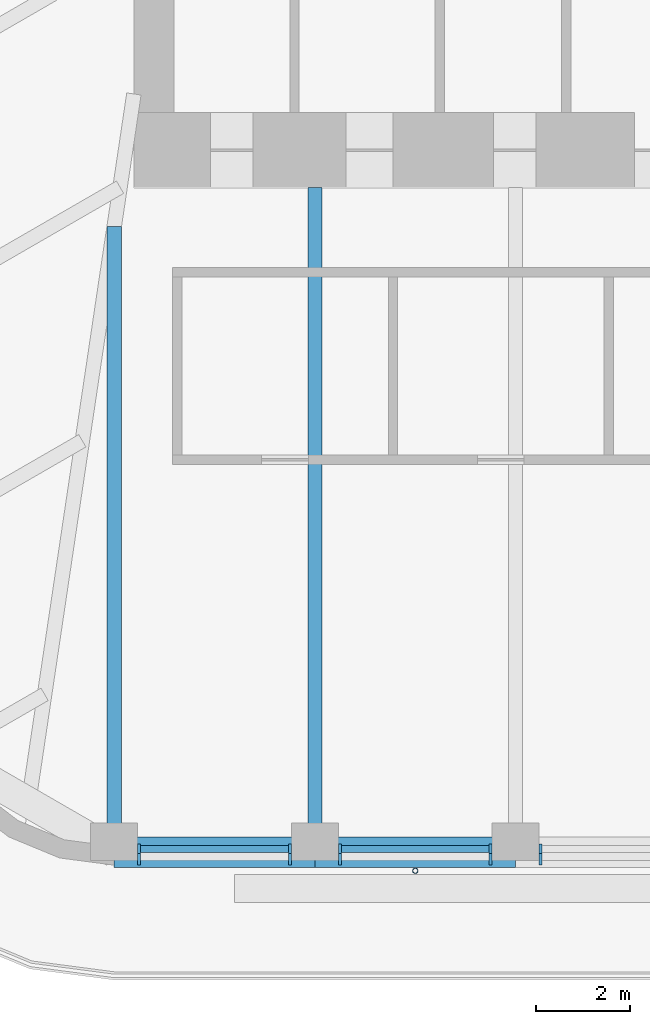
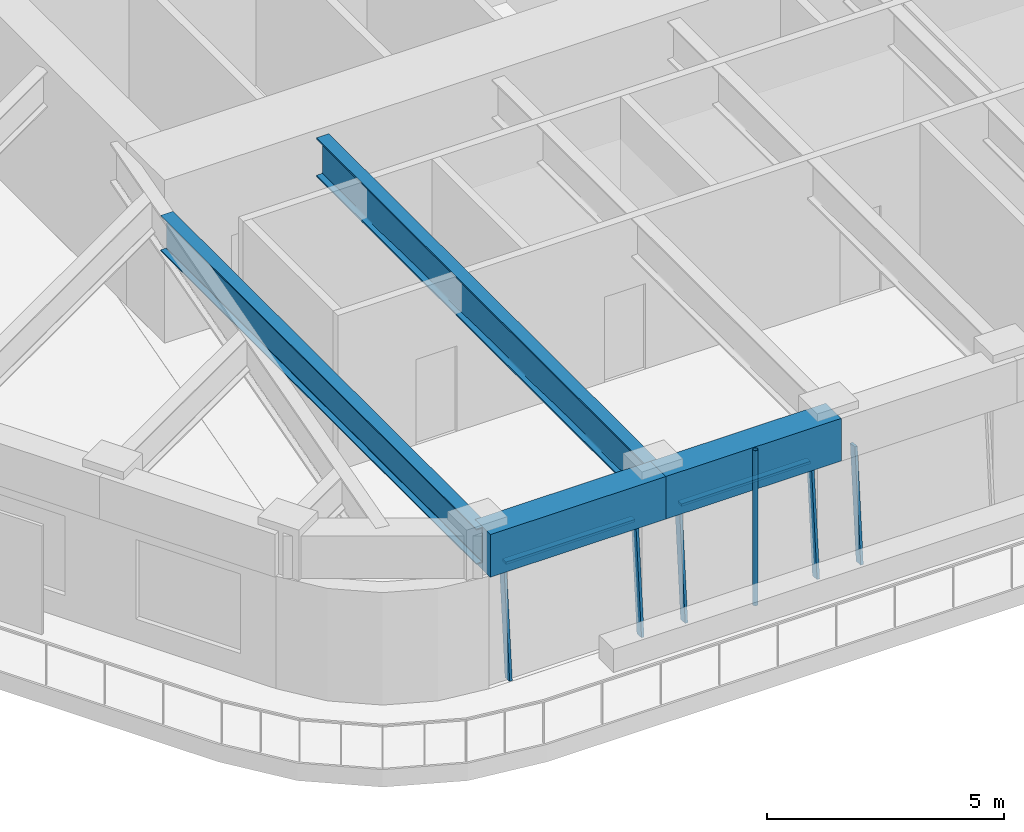
# One storey, part 2 of 19: 8 members, 4 beams, 3 elements without a shape of their own.
"""IFC4 building model written with IfcOpenShell, lengths in metres."""

from ifc_helpers import new_model, si_unit, direction, frame, origin, origin_2d, place, context, subcontext, project, spatial, rectangle, hollow_circle, i_section, extrude, material, material_profile, profile_set, type_object, element, aggregate, save


model = new_model("IFC4")

# Units and contexts
model_context = context("Model", 3, precision=1e-05, world=origin(), true_north=direction((0.0, 1.0)))
body_context = subcontext(model_context, "Body", "Model", "MODEL_VIEW")
ifc_project = project(units=[si_unit("LENGTHUNIT", "METRE"), si_unit("AREAUNIT", "SQUARE_METRE"), si_unit("VOLUMEUNIT", "CUBIC_METRE"), si_unit("PLANEANGLEUNIT", "RADIAN"), si_unit("MASSUNIT", "GRAM", prefix="KILO")], contexts=[model_context])

# Site, building, storey
site_placement = place(None, origin())
site = spatial("IfcSite", under=ifc_project, at=site_placement, CompositionType="ELEMENT")
building_placement = place(site_placement, origin())
building = spatial("IfcBuilding", under=site, at=building_placement, Name="Tarfa Lantern Tower", CompositionType="ELEMENT")
storey_placement = place(building_placement, frame((0.0, 0.0, 332.5)))
storey = spatial("IfcBuildingStorey", under=building, at=storey_placement, Name="L75", CompositionType="ELEMENT", Elevation=332.5)

# Curtain wall, members
ifc_material_1 = material(Name="Aluminium framed curtain wall", Category="aluminium")
curtain_wall_type = type_object("IfcCurtainWallType", Name="CW4 CANTED GLAZING EXECUTIVE ZONE 2900", PredefinedType="USERDEFINED", material=ifc_material_1)
curtain_wall_1_placement = place(storey_placement, origin())
curtain_wall_1 = element("IfcCurtainWall", 1, at=curtain_wall_1_placement, inside=storey, type_object=curtain_wall_type, Name="CW4 S L75", ObjectType="CURTAIN WALL", PredefinedType="USERDEFINED")
ifc_material_2 = material(Name="Aluminium mullion", Category="aluminium")
ifc_material_profile_1 = material_profile(ifc_material_2, rectangle(XDim=0.06494140625, YDim=0.199951171875, at=origin_2d()), Name="AL MULLION 65x200")
ifc_profile_set_1 = profile_set([ifc_material_profile_1], Name="Aluminium mullion")
member_type_1 = type_object("IfcMemberType", Name="CWM1 MULLION 65x200", PredefinedType="MULLION", material=ifc_profile_set_1)
member_1_placement = place(storey_placement, frame((-12.3134765625, -26.64990234375, 0.0), z_axis=(0.0, 0.085891213166, 0.99630452147), x_axis=(-1.0, 0.0, 0.0)))
member_1 = element("IfcMember", 2, at=member_1_placement, type_object=member_type_1, Name="CW4 mullion 1", PredefinedType="MULLION", context=body_context, shape_type="SweptSolid", body=[
    extrude(rectangle(XDim=0.06494140625, YDim=0.199951171875, at=origin_2d()), origin(), (0.0, 0.0, 1.0), 2.91064453125),
])
member_2_placement = place(storey_placement, frame((-9.096435546875, -26.64990234375, 0.0), z_axis=(0.0, 0.085891213166, 0.99630452147), x_axis=(-1.0, 0.0, 0.0)))
member_2 = element("IfcMember", 3, at=member_2_placement, type_object=member_type_1, Name="CW4 mullion 2", PredefinedType="MULLION", context=body_context, shape_type="SweptSolid", body=[
    extrude(rectangle(XDim=0.06494140625, YDim=0.199951171875, at=origin_2d()), origin(), (0.0, 0.0, 1.0), 2.91064453125),
])

curtain_wall_2_placement = place(storey_placement, origin())
curtain_wall_2 = element("IfcCurtainWall", 4, at=curtain_wall_2_placement, inside=storey, type_object=curtain_wall_type, Name="CW4 S L75", ObjectType="CURTAIN WALL", PredefinedType="USERDEFINED")
member_3_placement = place(storey_placement, frame((-8.031494140625, -26.64990234375, 0.0), z_axis=(0.0, 0.085891213166, 0.99630452147), x_axis=(-1.0, 0.0, 0.0)))
member_3 = element("IfcMember", 5, at=member_3_placement, type_object=member_type_1, Name="CW4 mullion 1", PredefinedType="MULLION", context=body_context, shape_type="SweptSolid", body=[
    extrude(rectangle(XDim=0.06494140625, YDim=0.199951171875, at=origin_2d()), origin(), (0.0, 0.0, 1.0), 2.91064453125),
])
member_4_placement = place(storey_placement, frame((-4.814453125, -26.64990234375, 0.0), z_axis=(0.0, 0.085891213166, 0.99630452147), x_axis=(-1.0, 0.0, 0.0)))
member_4 = element("IfcMember", 6, at=member_4_placement, type_object=member_type_1, Name="CW4 mullion 2", PredefinedType="MULLION", context=body_context, shape_type="SweptSolid", body=[
    extrude(rectangle(XDim=0.06494140625, YDim=0.199951171875, at=origin_2d()), origin(), (0.0, 0.0, 1.0), 2.91064453125),
])

# Curtain wall, member
curtain_wall_3_placement = place(storey_placement, origin())
curtain_wall_3 = element("IfcCurtainWall", 7, at=curtain_wall_3_placement, inside=storey, type_object=curtain_wall_type, Name="CW4 S L75", ObjectType="CURTAIN WALL", PredefinedType="USERDEFINED")
member_5_placement = place(storey_placement, frame((-3.74951171875, -26.64990234375, 0.0), z_axis=(0.0, 0.085891213166, 0.99630452147), x_axis=(-1.0, 0.0, 0.0)))
member_5 = element("IfcMember", 8, at=member_5_placement, type_object=member_type_1, Name="CW4 mullion 1", PredefinedType="MULLION", context=body_context, shape_type="SweptSolid", body=[
    extrude(rectangle(XDim=0.06494140625, YDim=0.199951171875, at=origin_2d()), origin(), (0.0, 0.0, 1.0), 2.91064453125),
])
aggregate(curtain_wall_3, [member_5])

# Member
ifc_material_3 = material(Name="Aluminium transom", Category="aluminium")
ifc_material_profile_2 = material_profile(ifc_material_3, rectangle(XDim=0.14990234375, YDim=0.06494140625, at=origin_2d()), Name="AL TRANSOM 150x65")
ifc_profile_set_2 = profile_set([ifc_material_profile_2], Name="Aluminium transom")
member_type_2 = type_object("IfcMemberType", Name="CWT1 TRANSOM 150x65", PredefinedType="USERDEFINED", material=ifc_profile_set_2)
member_6_placement = place(storey_placement, frame((-12.281005859375, -26.40283203125, 2.867431640625), z_axis=(1.0, 0.0, 0.0), x_axis=(0.0, 1.0, 0.0)))
member_6 = element("IfcMember", 9, at=member_6_placement, type_object=member_type_2, Name="CW4 transom 1.2", ObjectType="TRANSOM", PredefinedType="USERDEFINED", context=body_context, shape_type="SweptSolid", body=[
    extrude(rectangle(XDim=0.14990234375, YDim=0.06494140625, at=origin_2d()), origin(), (0.0, 0.0, 1.0), 3.15185546875),
])

aggregate(curtain_wall_1, [member_1, member_2, member_6])

member_7_placement = place(storey_placement, frame((-7.9990234375, -26.40283203125, 2.867431640625), z_axis=(1.0, 0.0, 0.0), x_axis=(0.0, 1.0, 0.0)))
member_7 = element("IfcMember", 10, at=member_7_placement, type_object=member_type_2, Name="CW4 transom 1.2", ObjectType="TRANSOM", PredefinedType="USERDEFINED", context=body_context, shape_type="SweptSolid", body=[
    extrude(rectangle(XDim=0.14990234375, YDim=0.06494140625, at=origin_2d()), origin(), (0.0, 0.0, 1.0), 3.152099609375),
])

aggregate(curtain_wall_2, [member_3, member_4, member_7])

# Beams
ifc_material_4 = material(Name="Concrete C80/95", Category="concrete")
ifc_material_profile_3 = material_profile(ifc_material_4, rectangle(XDim=0.64990234375, YDim=1.10009765625, at=origin_2d()), Name="RC 650x1100")
ifc_profile_set_3 = profile_set([ifc_material_profile_3], Name="Concrete C80/95")
beam_type_1 = type_object("IfcBeamType", Name="EB4 RC 650x1100", PredefinedType="SPANDREL", material=ifc_profile_set_3)
for number, where, z_axis, x_axis, name in (
    (11, (-12.845947265625, -26.469970703125, 3.449951171875), (1.0, 0.0, 0.0), (0.0, 1.0, 0.0), "Edge beam S0"),
    (12, (-8.56396484375, -26.469970703125, 3.449951171875), (1.0, 0.0, 0.0), (0.0, 1.0, 0.0), "Edge beam S1"),
):
    element("IfcBeam", number, at=place(storey_placement, frame(where, z_axis=z_axis, x_axis=x_axis)), inside=storey, type_object=beam_type_1, Name=name, PredefinedType="SPANDREL", context=body_context, shape_type="SweptSolid", body=[
        extrude(rectangle(XDim=0.64990234375, YDim=1.10009765625, at=origin_2d()), origin(), (0.0, 0.0, 1.0), 4.281982421875),
    ])

# Member
ifc_material_5 = material(Name="Steel S355", Category="steel")
ifc_material_profile_4 = material_profile(ifc_material_5, hollow_circle(Radius=0.05712890625, WallThickness=0.00634765625, at=origin_2d()), Name="CHS114.3x6.3")
ifc_profile_set_4 = profile_set([ifc_material_profile_4], Name="Steel S355")
member_type_3 = type_object("IfcMemberType", Name="TR1 GREEN WALL TRELLIS CHS114.3x6.3", PredefinedType="USERDEFINED", material=ifc_profile_set_4)
member_8_placement = place(storey_placement, frame((-6.423095703125, -26.8701171875, 0.0), z_axis=(0.0, 0.0, 1.0), x_axis=(1.0, 0.0, 0.0)))
element("IfcMember", 13, at=member_8_placement, inside=storey, type_object=member_type_3, Name="Trellis post S 1", ObjectType="TRELLIS", PredefinedType="USERDEFINED", context=body_context, shape_type="SweptSolid", body=[
    extrude(hollow_circle(Radius=0.05712890625, WallThickness=0.00634765625, at=origin_2d()), origin(), (0.0, 0.0, 1.0), 4.0),
])

# Beams
ifc_material_6 = material(Name="Steel S460M", Category="steel")
ifc_material_profile_5 = material_profile(ifc_material_6, i_section(OverallWidth=0.302001953125, OverallDepth=1.008056640625, WebThickness=0.02099609375, FlangeThickness=0.0400390625, FilletRadius=0.030029296875, at=origin_2d()), Name="UB1016x305x349")
ifc_profile_set_5 = profile_set([ifc_material_profile_5], Name="Steel S460M")
beam_type_2 = type_object("IfcBeamType", Name="UB1016x305x349", PredefinedType="BEAM", material=ifc_profile_set_5)
beam_1_placement = place(storey_placement, frame((-8.56396484375, -26.469970703125, 3.495849609375), z_axis=(0.0, 1.0, 0.0), x_axis=(-1.0, 0.0, 0.0)))
element("IfcBeam", 14, at=beam_1_placement, inside=storey, type_object=beam_type_2, Name="Floor beam S1", PredefinedType="BEAM", context=body_context, shape_type="SweptSolid", body=[
    extrude(i_section(OverallWidth=0.302001953125, OverallDepth=1.008056640625, WebThickness=0.02099609375, FlangeThickness=0.0400390625, FilletRadius=0.030029296875, at=origin_2d()), origin(), (0.0, 0.0, 1.0), 14.169921875),
])
ifc_material_profile_6 = material_profile(ifc_material_6, i_section(OverallWidth=0.305419921875, OverallDepth=0.91845703125, WebThickness=0.017333984375, FlangeThickness=0.02783203125, FilletRadius=0.01904296875, at=origin_2d()), Name="UB914x305x253")
ifc_profile_set_6 = profile_set([ifc_material_profile_6], Name="Steel S460M")
beam_type_3 = type_object("IfcBeamType", Name="UB914x305x253", PredefinedType="BEAM", material=ifc_profile_set_6)
beam_2_placement = place(storey_placement, frame((-12.845947265625, -26.469970703125, 3.540771484375), z_axis=(0.0, 1.0, 0.0), x_axis=(-1.0, 0.0, 0.0)))
element("IfcBeam", 15, at=beam_2_placement, inside=storey, type_object=beam_type_3, Name="Floor beam S0", PredefinedType="BEAM", context=body_context, shape_type="SweptSolid", body=[
    extrude(i_section(OverallWidth=0.305419921875, OverallDepth=0.91845703125, WebThickness=0.017333984375, FlangeThickness=0.02783203125, FilletRadius=0.01904296875, at=origin_2d()), origin(), (0.0, 0.0, 1.0), 13.33935546875),
])

save(model, "model.ifc")
